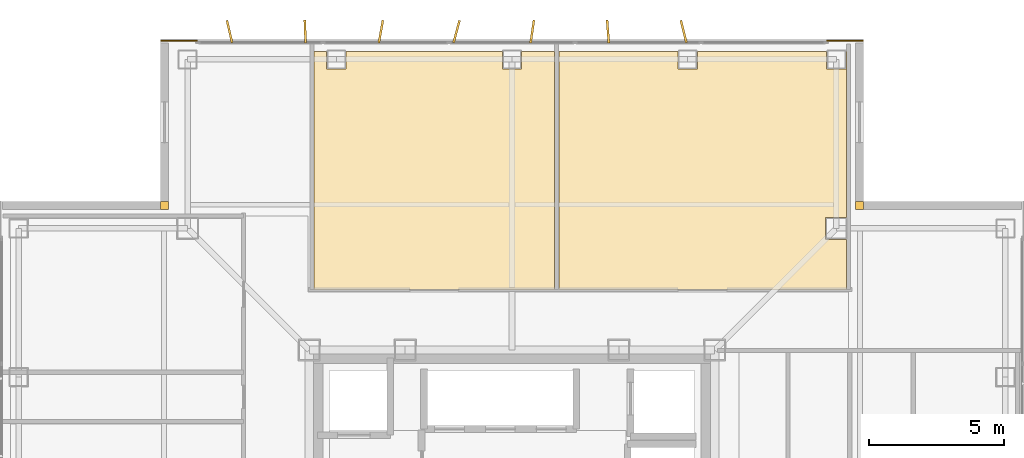
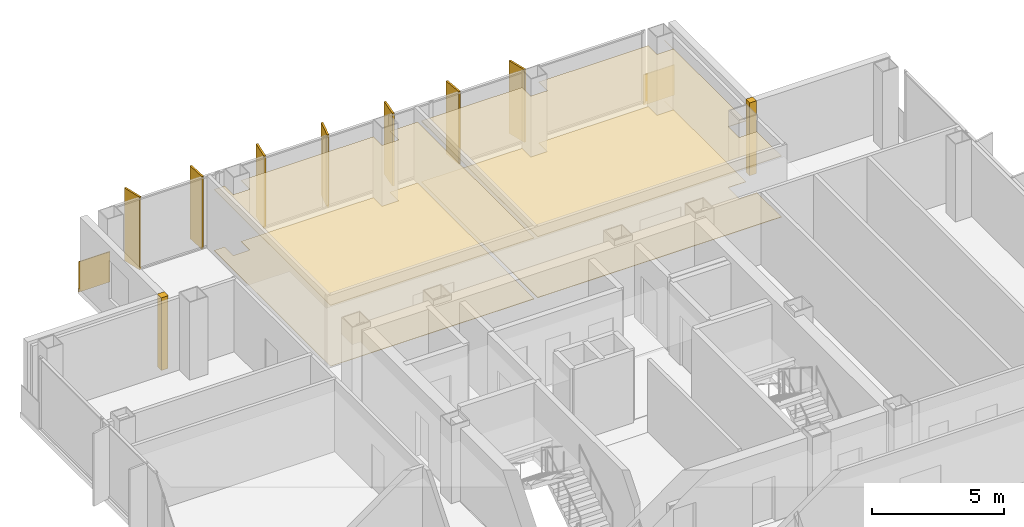
# One storey, part 15 of 15: 8 coverings, 7 shading devices.
"""IFC4 building model written with IfcOpenShell, lengths in metres."""

import ifcopenshell
import ifcopenshell.guid

model = None  # the IFC model being written
_history = None  # IfcOwnerHistory: only IFC2X3 demands one
_inside = {}  # id of a spatial element -> (the spatial element, [elements in it])
_under = {}  # id of a project, library or spatial element -> (it, [spatial elements below it])
_declared = {}  # id of a project -> (the project, [libraries it declares])
_typed = {}  # id of a type object -> (the type object, [elements of that type])
_made_of = {}  # id of a material, layer set ... -> (it, [elements and type objects made of it])


def new_model(schema):
    """Start an empty IFC model of exactly this schema.

    Asked for "IFC4X3", IfcOpenShell would pick the latest addendum, in which some entities
    have other attributes; the version numbers below select the first issue.
    IFC2X3 requires an IfcOwnerHistory on every rooted entity: one is made here for all.
    """
    global model, _history
    if schema == "IFC4X3":
        model = ifcopenshell.file(schema_version=(4, 3, 0, 0))
    else:
        model = ifcopenshell.file(schema=schema)
    _inside.clear()
    _under.clear()
    _declared.clear()
    _typed.clear()
    _made_of.clear()
    _history = None
    if model.schema == "IFC2X3":
        org = make("IfcOrganization", Name="unknown")
        user = make(
            "IfcPersonAndOrganization",
            ThePerson=make("IfcPerson", FamilyName="unknown"),
            TheOrganization=org,
        )
        app = make(
            "IfcApplication",
            ApplicationDeveloper=org,
            Version="unknown",
            ApplicationFullName="unknown",
            ApplicationIdentifier="unknown",
        )
        _history = make(
            "IfcOwnerHistory",
            OwningUser=user,
            OwningApplication=app,
            ChangeAction="ADDED",
            CreationDate=0,
        )
    return model


def make(cls, **values):
    """One entity of the class cls with the attributes given. An attribute that is None is left unset."""
    return model.create_entity(
        cls, **{name: value for name, value in values.items() if value is not None}
    )


def rooted(cls, **values):
    """An entity with a GlobalId (a new one), such as an element, a storey or a relation."""
    return make(cls, GlobalId=ifcopenshell.guid.new(), OwnerHistory=_history, **values)


def si_unit(unit_type, name, prefix=None):
    """IfcSIUnit, for example si_unit("LENGTHUNIT", "METRE", prefix="MILLI")."""
    return make("IfcSIUnit", UnitType=unit_type, Prefix=prefix, Name=name)


def assignment(units):
    """IfcUnitAssignment: the units of a project."""
    return None if units is None else make("IfcUnitAssignment", Units=units)


def point(xyz):
    """IfcCartesianPoint."""
    return None if xyz is None else make("IfcCartesianPoint", Coordinates=xyz)


def direction(xyz):
    """IfcDirection."""
    return None if xyz is None else make("IfcDirection", DirectionRatios=xyz)


def frame(location, z_axis=None, x_axis=None):
    """IfcAxis2Placement3D, a coordinate frame: its origin and axes. An axis left out is left unset."""
    return make(
        "IfcAxis2Placement3D",
        Location=point(location),
        Axis=direction(z_axis),
        RefDirection=direction(x_axis),
    )


def frame_2d(location, x_axis=None):
    """IfcAxis2Placement2D, a coordinate frame in the plane: its origin and x axis."""
    return make(
        "IfcAxis2Placement2D", Location=point(location), RefDirection=direction(x_axis)
    )


def origin():
    """The frame at (0, 0, 0) with its axes left unset."""
    return frame((0.0, 0.0, 0.0))


def origin_2d():
    """The frame at (0, 0) in the plane with its x axis left unset."""
    return frame_2d((0.0, 0.0))


def place(relative_to, where):
    """IfcLocalPlacement: puts the frame where relative to a parent placement (None: the world)."""
    return make(
        "IfcLocalPlacement", PlacementRelTo=relative_to, RelativePlacement=where
    )


def context(
    kind, dimensions, precision=None, world=None, true_north=None, identifier=None
):
    """IfcGeometricRepresentationContext, for example the 3D "Model" context."""
    return make(
        "IfcGeometricRepresentationContext",
        ContextIdentifier=identifier,
        ContextType=kind,
        CoordinateSpaceDimension=dimensions,
        Precision=precision,
        WorldCoordinateSystem=world,
        TrueNorth=true_north,
    )


def subcontext(parent, identifier, kind, view, scale=None):
    """IfcGeometricRepresentationSubContext, for example "Body" below "Model"."""
    return make(
        "IfcGeometricRepresentationSubContext",
        ContextIdentifier=identifier,
        ContextType=kind,
        ParentContext=parent,
        TargetScale=scale,
        TargetView=view,
    )


def project(units=None, contexts=None):
    """IfcProject with its units and contexts."""
    return rooted(
        "IfcProject",
        Name="project",
        RepresentationContexts=contexts,
        UnitsInContext=assignment(units),
    )


def spatial(cls, under=None, at=None, **own):
    """A site, building, storey or space (cls), placed at a placement, below another one or the project."""
    s = rooted(cls, ObjectPlacement=at, **own)
    if under is not None:
        _under.setdefault(under.id(), (under, []))[1].append(s)
    return s


def polyline(points):
    """IfcPolyline through the points."""
    return make("IfcPolyline", Points=[point(p) for p in points])


def profile(cls, at=None, kind="AREA", **sizes):
    """A parametric profile (cls). Its sizes go by their IFC names, for example OverallWidth=200.0."""
    return make(cls, ProfileType=kind, Position=at, **sizes)


def rectangle(**sizes):
    """IfcRectangleProfileDef."""
    return profile("IfcRectangleProfileDef", **sizes)


def outline(outer, holes=None, kind="AREA"):
    """IfcArbitraryClosedProfileDef: a profile drawn as a closed curve; with holes, ...WithVoids."""
    if holes is None:
        return make("IfcArbitraryClosedProfileDef", ProfileType=kind, OuterCurve=outer)
    return make(
        "IfcArbitraryProfileDefWithVoids",
        ProfileType=kind,
        OuterCurve=outer,
        InnerCurves=holes,
    )


def extrude(swept, where, along, depth):
    """IfcExtrudedAreaSolid: the profile swept, set in the frame where, extruded along a direction by depth."""
    return make(
        "IfcExtrudedAreaSolid",
        SweptArea=swept,
        Position=where,
        ExtrudedDirection=direction(along),
        Depth=depth,
    )


def shape(context_of_items, identifier, shape_type, items):
    """IfcShapeRepresentation: the items that make up one representation, for example the "Body"."""
    return make(
        "IfcShapeRepresentation",
        ContextOfItems=context_of_items,
        RepresentationIdentifier=identifier,
        RepresentationType=shape_type,
        Items=items,
    )


def material(Name=None, Category=None):
    """IfcMaterial."""
    return make("IfcMaterial", Name=Name, Category=Category)


def layer(
    of_material, thickness, ventilated=None, Name=None, Category=None, Priority=None
):
    """IfcMaterialLayer: one layer of a wall or slab, of a material (None: an air gap)."""
    return make(
        "IfcMaterialLayer",
        Material=of_material,
        LayerThickness=thickness,
        IsVentilated=ventilated,
        Name=Name,
        Category=Category,
        Priority=Priority,
    )


def layer_set(layers, Name=None):
    """IfcMaterialLayerSet."""
    return make("IfcMaterialLayerSet", MaterialLayers=layers, LayerSetName=Name)


def made_of(thing, what):
    """Note that an element or type object is made of a material, layer set ...; save() writes the relation."""
    if what is not None:
        _made_of.setdefault(what.id(), (what, []))[1].append(thing)
    return thing


def type_object(cls, material=None, **own):
    """A type object (cls), such as IfcWallType, which elements share."""
    return made_of(rooted(cls, **own), material)


def element(
    cls,
    number,
    at=None,
    inside=None,
    cuts=None,
    type_object=None,
    material=None,
    context=None,
    identifier="Body",
    shape_type=None,
    held_by="IfcProductDefinitionShape",
    body=None,
    shapes=None,
    **own,
):
    """One element of the class cls, such as IfcWall. Its Tag is "e" and its number.

    at: its placement. inside: the storey or other place that contains it. cuts: it is an
    opening in that element (IfcRelVoidsElement). A single representation is given by context,
    identifier, shape_type and body (its items); several are given by shapes. held_by: the class
    of the entity that holds the representations. save() writes the other relations.
    """
    e = rooted(cls, Tag="e%d" % number, ObjectPlacement=at, **own)
    if body is not None:
        shapes = [shape(context, identifier, shape_type, body)]
    if shapes is not None:
        e.Representation = make(held_by, Representations=shapes)
    if inside is not None:
        _inside.setdefault(inside.id(), (inside, []))[1].append(e)
    if cuts is not None:
        rooted(
            "IfcRelVoidsElement", RelatingBuildingElement=cuts, RelatedOpeningElement=e
        )
    if type_object is not None:
        _typed.setdefault(type_object.id(), (type_object, []))[1].append(e)
    return made_of(e, material)


def aggregate(whole, parts):
    """IfcRelAggregates: a whole, such as a stair, and the parts it consists of."""
    return rooted("IfcRelAggregates", RelatingObject=whole, RelatedObjects=parts)


def save(model, path):
    """Write the relations noted so far, then the file.

    IfcRelAggregates (storeys below a building ...), IfcRelContainedInSpatialStructure (elements
    in a storey), IfcRelDefinesByType, IfcRelAssociatesMaterial and IfcRelDeclares: one each for
    every whole, place, type object, material and project.
    """
    for whole, parts in _under.values():
        aggregate(whole, parts)
    for where, things in _inside.values():
        rooted(
            "IfcRelContainedInSpatialStructure",
            RelatedElements=things,
            RelatingStructure=where,
        )
    for kind, things in _typed.values():
        rooted("IfcRelDefinesByType", RelatedObjects=things, RelatingType=kind)
    for what, things in _made_of.values():
        rooted("IfcRelAssociatesMaterial", RelatedObjects=things, RelatingMaterial=what)
    for by, libraries in _declared.values():
        rooted("IfcRelDeclares", RelatingContext=by, RelatedDefinitions=libraries)
    model.write(path)


model = new_model("IFC4")

# Units and contexts
model_context = context("Model", 3, precision=1e-05, world=origin(), true_north=direction((0.0, 1.0)))
body_context = subcontext(model_context, "Body", "Model", "MODEL_VIEW")
ifc_project = project(units=[si_unit("LENGTHUNIT", "METRE"), si_unit("AREAUNIT", "SQUARE_METRE"), si_unit("VOLUMEUNIT", "CUBIC_METRE"), si_unit("PLANEANGLEUNIT", "RADIAN"), si_unit("MASSUNIT", "GRAM", prefix="KILO")], contexts=[model_context])

# Site, building, storey
site_placement = place(None, origin())
site = spatial("IfcSite", under=ifc_project, at=site_placement, CompositionType="ELEMENT")
building_placement = place(site_placement, origin())
building = spatial("IfcBuilding", under=site, at=building_placement, Name="Trevonay Congress Spire", CompositionType="ELEMENT")
storey_placement = place(building_placement, frame((0.0, 0.0, 282.800048828125)))
storey = spatial("IfcBuildingStorey", under=building, at=storey_placement, Name="L74", CompositionType="ELEMENT", Elevation=282.800048828125)

# Coverings
ifc_material_1 = material(Name="Acoustic Mineral Fibre Board", Category="gypsum")
ifc_layer_1 = layer(ifc_material_1, 0.02490234375, Name="Acoustic Mineral Fibre Board")
ifc_layer_set_1 = layer_set([ifc_layer_1], Name="Acoustic Mineral Fibre Board")
covering_type_1 = type_object("IfcCoveringType", Name="COV-CEIL-ACOUSTIC", PredefinedType="CEILING", material=ifc_layer_set_1)
covering_1_placement = place(storey_placement, frame((0.0, 0.0, 2.81005859375)))
element("IfcCovering", 1, at=covering_1_placement, inside=storey, type_object=covering_type_1, Name="L74 Partner Dining Room acoustic suspended ceiling", PredefinedType="CEILING", context=body_context, shape_type="SweptSolid", body=[
    extrude(outline(polyline([(1.570068359375, 18.550048828125), (1.570068359375, 9.72998046875), (-7.320068359375, 9.72998046875), (-7.320068359375, 18.550048828125), (-6.860107421875, 18.550048828125), (-6.860107421875, 17.889892578125), (-6.139892578125, 17.889892578125), (-6.139892578125, 18.550048828125), (-0.360107421875, 18.550048828125), (-0.360107421875, 17.889892578125), (0.360107421875, 17.889892578125), (0.360107421875, 18.550048828125), (1.570068359375, 18.550048828125)])), origin(), (0.0, 0.0, 1.0), 0.02490234375),
])
covering_2_placement = place(storey_placement, frame((0.0, 0.0, 2.81005859375)))
element("IfcCovering", 2, at=covering_2_placement, inside=storey, type_object=covering_type_1, Name="L74 Finishing Pantry Kitchen acoustic suspended ceiling", PredefinedType="CEILING", context=body_context, shape_type="SweptSolid", body=[
    extrude(outline(polyline([(12.3701171875, 9.72998046875), (1.72998046875, 9.72998046875), (1.72998046875, 18.550048828125), (6.139892578125, 18.550048828125), (6.139892578125, 17.889892578125), (6.860107421875, 17.889892578125), (6.860107421875, 18.550048828125), (11.639892578125, 18.550048828125), (11.639892578125, 17.889892578125), (12.360107421875, 17.889892578125), (12.360107421875, 18.550048828125), (12.3701171875, 18.550048828125), (12.3701171875, 12.409912109375), (11.590087890625, 12.409912109375), (11.590087890625, 11.590087890625), (12.3701171875, 11.590087890625), (12.3701171875, 9.72998046875)])), origin(), (0.0, 0.0, 1.0), 0.02490234375),
])
ifc_material_2 = material(Name="Polished Granite Floor Tile", Category="masonry")
ifc_layer_2 = layer(ifc_material_2, 0.02001953125, Name="Polished Granite Floor Tile")
ifc_layer_set_2 = layer_set([ifc_layer_2], Name="Polished Granite Floor Tile")
covering_type_2 = type_object("IfcCoveringType", Name="COV-FLOOR-STONE", PredefinedType="FLOORING", material=ifc_layer_set_2)
covering_3_placement = place(storey_placement, origin())
element("IfcCovering", 3, at=covering_3_placement, inside=storey, type_object=covering_type_2, Name="L74 Partner Dining Room floor finish", PredefinedType="FLOORING", context=body_context, shape_type="SweptSolid", body=[
    extrude(outline(polyline([(1.570068359375, 18.550048828125), (1.570068359375, 9.72998046875), (-7.320068359375, 9.72998046875), (-7.320068359375, 18.550048828125), (-6.860107421875, 18.550048828125), (-6.860107421875, 17.889892578125), (-6.139892578125, 17.889892578125), (-6.139892578125, 18.550048828125), (-0.360107421875, 18.550048828125), (-0.360107421875, 17.889892578125), (0.360107421875, 17.889892578125), (0.360107421875, 18.550048828125), (1.570068359375, 18.550048828125)])), origin(), (0.0, 0.0, 1.0), 0.02001953125),
])
covering_4_placement = place(storey_placement, origin())
element("IfcCovering", 4, at=covering_4_placement, inside=storey, type_object=covering_type_2, Name="L74 Finishing Pantry Kitchen floor finish", PredefinedType="FLOORING", context=body_context, shape_type="SweptSolid", body=[
    extrude(outline(polyline([(12.3701171875, 9.72998046875), (1.72998046875, 9.72998046875), (1.72998046875, 18.550048828125), (6.139892578125, 18.550048828125), (6.139892578125, 17.889892578125), (6.860107421875, 17.889892578125), (6.860107421875, 18.550048828125), (11.639892578125, 18.550048828125), (11.639892578125, 17.889892578125), (12.360107421875, 17.889892578125), (12.360107421875, 18.550048828125), (12.3701171875, 18.550048828125), (12.3701171875, 12.409912109375), (11.590087890625, 12.409912109375), (11.590087890625, 11.590087890625), (12.3701171875, 11.590087890625), (12.3701171875, 9.72998046875)])), origin(), (0.0, 0.0, 1.0), 0.02001953125),
])
ifc_material_3 = material(Name="Pale Anodised Aluminium EN AW-6063-T6", Category="aluminium")
ifc_layer_3 = layer(ifc_material_3, 0.0400390625, Name="Pale Anodised Aluminium EN AW-6063-T6")
ifc_layer_set_3 = layer_set([ifc_layer_3], Name="Pale Anodised Aluminium EN AW-6063-T6")
covering_type_3 = type_object("IfcCoveringType", Name="COV-SPANDREL-PALE-METAL", PredefinedType="CLADDING", material=ifc_layer_set_3)
covering_5_placement = place(storey_placement, origin())
element("IfcCovering", 5, at=covering_5_placement, inside=storey, type_object=covering_type_3, Name="L74 NE re-entrant notch corner closure trim", PredefinedType="CLADDING", context=body_context, shape_type="SweptSolid", body=[
    extrude(outline(polyline([(12.699951171875, 12.699951171875), (13.0, 12.699951171875), (13.0, 13.0), (12.699951171875, 13.0), (12.699951171875, 12.699951171875)])), origin(), (0.0, 0.0, 1.0), 3.35986328125),
])
covering_6_placement = place(storey_placement, frame((11.64990234375, 18.93994140625, -0.150146484375), z_axis=(0.0, 0.0, 1.0), x_axis=(1.0, 0.0, 0.0)))
element("IfcCovering", 6, at=covering_6_placement, inside=storey, type_object=covering_type_3, Name="L74 NE corner pier spandrel cladding 2", PredefinedType="CLADDING", context=body_context, shape_type="SweptSolid", body=[
    extrude(rectangle(XDim=1.35009765625, YDim=0.0400390625, at=frame_2d((0.675048828125, 0.0))), origin(), (0.0, 0.0, 1.0), 1.400146484375),
])
covering_7_placement = place(storey_placement, origin())
element("IfcCovering", 7, at=covering_7_placement, inside=storey, type_object=covering_type_3, Name="L74 NW re-entrant notch corner closure trim", PredefinedType="CLADDING", context=body_context, shape_type="SweptSolid", body=[
    extrude(outline(polyline([(-13.0, 12.699951171875), (-12.699951171875, 12.699951171875), (-12.699951171875, 13.0), (-13.0, 13.0), (-13.0, 12.699951171875)])), origin(), (0.0, 0.0, 1.0), 3.35986328125),
])
covering_8_placement = place(storey_placement, frame((-11.64990234375, 18.93994140625, -0.150146484375), z_axis=(0.0, 0.0, 1.0), x_axis=(-1.0, 0.0, 0.0)))
element("IfcCovering", 8, at=covering_8_placement, inside=storey, type_object=covering_type_3, Name="L74 NW corner pier spandrel cladding 2", PredefinedType="CLADDING", context=body_context, shape_type="SweptSolid", body=[
    extrude(rectangle(XDim=1.35009765625, YDim=0.0400390625, at=frame_2d((0.675048828125, 0.0))), origin(), (0.0, 0.0, 1.0), 1.400146484375),
])

# Shading devices
shading_device_type = type_object("IfcShadingDeviceType", Name="SHD-FIN-Z4-PALE-METAL", PredefinedType="USERDEFINED", material=ifc_material_3)
for number, where, z_axis, x_axis, name in (
    (9, (-10.449951171875, 19.280029296875, 0.0), (0.0, 0.0, 1.0), (0.97440931131, 0.224780991261, 0.0), "L74 N vertical pale-metal solar fin 1"),
    (10, (-7.64990234375, 19.280029296875, 0.0), (0.0, 0.0, 1.0), (0.999235873152, 0.039085416795, 0.0), "L74 N vertical pale-metal solar fin 2"),
    (11, (-4.85009765625, 19.280029296875, 0.0), (0.0, 0.0, 1.0), (0.984195607969, -0.17708474032, 0.0), "L74 N vertical pale-metal solar fin 3"),
    (12, (-2.050048828125, 19.280029296875, 0.0), (0.0, 0.0, 1.0), (0.966106280664, -0.258144638645, 0.0), "L74 N vertical pale-metal solar fin 4"),
    (13, (0.75, 19.280029296875, 0.0), (0.0, 0.0, 1.0), (0.989144474801, -0.146946275799, 0.0), "L74 N vertical pale-metal solar fin 5"),
    (14, (3.550048828125, 19.280029296875, 0.0), (0.0, 0.0, 1.0), (0.997025911491, 0.077067060513, 0.0), "L74 N vertical pale-metal solar fin 6"),
    (15, (6.35009765625, 19.280029296875, 0.0), (0.0, 0.0, 1.0), (0.970464383152, 0.241244442494, 0.0), "L74 N vertical pale-metal solar fin 7"),
):
    element("IfcShadingDevice", number, at=place(storey_placement, frame(where, z_axis=z_axis, x_axis=x_axis)), inside=storey, type_object=shading_device_type, Name=name, ObjectType="SOLAR FIN", PredefinedType="USERDEFINED", context=body_context, shape_type="SweptSolid", body=[
        extrude(rectangle(XDim=0.080078125, YDim=0.85009765625, at=origin_2d()), origin(), (0.0, 0.0, 1.0), 3.360107421875),
    ])

save(model, "model.ifc")
